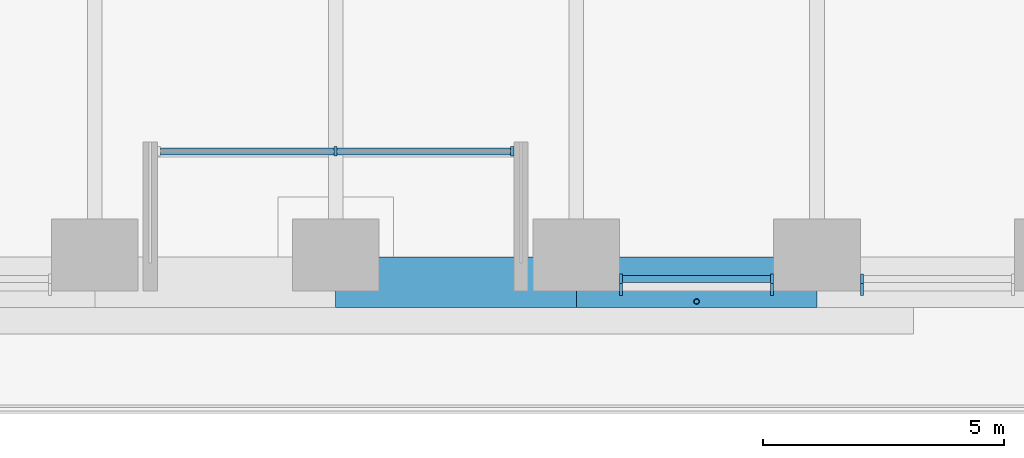
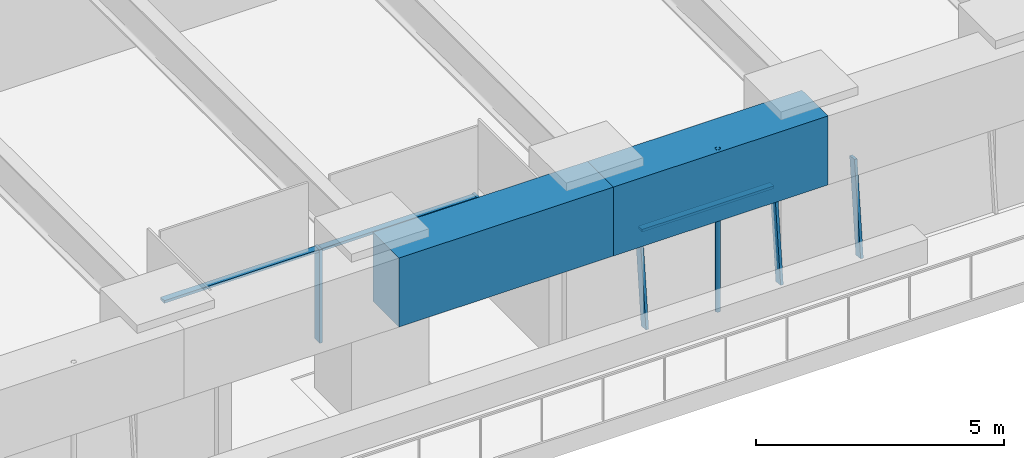
# One storey, part 4 of 24: 8 members, 2 beams, 3 elements without a shape of their own.
"""IFC4 building model written with IfcOpenShell, lengths in metres."""

from ifc_helpers import new_model, si_unit, direction, frame, origin, origin_2d, place, context, subcontext, project, spatial, rectangle, hollow_circle, extrude, material, material_profile, profile_set, type_object, element, aggregate, save


model = new_model("IFC4")

# Units and contexts
model_context = context("Model", 3, precision=1e-05, world=origin(), true_north=direction((0.0, 1.0)))
body_context = subcontext(model_context, "Body", "Model", "MODEL_VIEW")
ifc_project = project(units=[si_unit("LENGTHUNIT", "METRE"), si_unit("AREAUNIT", "SQUARE_METRE"), si_unit("VOLUMEUNIT", "CUBIC_METRE"), si_unit("PLANEANGLEUNIT", "RADIAN"), si_unit("MASSUNIT", "GRAM", prefix="KILO")], contexts=[model_context])

# Site, building, storey
site_placement = place(None, origin())
site = spatial("IfcSite", under=ifc_project, at=site_placement, CompositionType="ELEMENT")
building_placement = place(site_placement, origin())
building = spatial("IfcBuilding", under=site, at=building_placement, Name="Tarfa Lantern Tower", CompositionType="ELEMENT")
storey_placement = place(building_placement, frame((0.0, 0.0, 132.10009765625)))
storey = spatial("IfcBuildingStorey", under=building, at=storey_placement, Name="L29", CompositionType="ELEMENT", Elevation=132.10009765625)

# Curtain wall, members
ifc_material_1 = material(Name="Aluminium framed curtain wall", Category="aluminium")
curtain_wall_type_1 = type_object("IfcCurtainWallType", Name="CW2 CANTED GLAZING MID ZONE 2300", PredefinedType="USERDEFINED", material=ifc_material_1)
curtain_wall_1_placement = place(storey_placement, origin())
curtain_wall_1 = element("IfcCurtainWall", 1, at=curtain_wall_1_placement, inside=storey, type_object=curtain_wall_type_1, Name="CW2 SB L29", ObjectType="CURTAIN WALL", PredefinedType="USERDEFINED")
ifc_material_2 = material(Name="Aluminium mullion", Category="aluminium")
ifc_material_profile_1 = material_profile(ifc_material_2, rectangle(XDim=0.06494140625, YDim=0.199951171875, at=origin_2d()), Name="AL MULLION 65x200")
ifc_profile_set_1 = profile_set([ifc_material_profile_1], Name="Aluminium mullion")
member_type_1 = type_object("IfcMemberType", Name="CWM1 MULLION 65x200", PredefinedType="MULLION", material=ifc_profile_set_1)
member_1_placement = place(storey_placement, frame((5.936279296875, -31.39990234375, 0.0), z_axis=(0.0, 0.108068250598, 0.994143477177), x_axis=(-1.0, 0.0, 0.0)))
member_1 = element("IfcMember", 2, at=member_1_placement, type_object=member_type_1, Name="CW2 mullion 1", PredefinedType="MULLION", context=body_context, shape_type="SweptSolid", body=[
    extrude(rectangle(XDim=0.06494140625, YDim=0.199951171875, at=origin_2d()), origin(), (0.0, 0.0, 1.0), 2.313232421875),
])
member_2_placement = place(storey_placement, frame((9.074951171875, -31.39990234375, 0.0), z_axis=(0.0, 0.108068250598, 0.994143477177), x_axis=(-1.0, 0.0, 0.0)))
member_2 = element("IfcMember", 3, at=member_2_placement, type_object=member_type_1, Name="CW2 mullion 2", PredefinedType="MULLION", context=body_context, shape_type="SweptSolid", body=[
    extrude(rectangle(XDim=0.06494140625, YDim=0.199951171875, at=origin_2d()), origin(), (0.0, 0.0, 1.0), 2.313232421875),
])

# Curtain wall, member
curtain_wall_2_placement = place(storey_placement, origin())
curtain_wall_2 = element("IfcCurtainWall", 4, at=curtain_wall_2_placement, inside=storey, type_object=curtain_wall_type_1, Name="CW2 SB L29", ObjectType="CURTAIN WALL", PredefinedType="USERDEFINED")
member_3_placement = place(storey_placement, frame((10.93994140625, -31.39990234375, 0.0), z_axis=(0.0, 0.108068250598, 0.994143477177), x_axis=(-1.0, 0.0, 0.0)))
member_3 = element("IfcMember", 5, at=member_3_placement, type_object=member_type_1, Name="CW2 mullion 1", PredefinedType="MULLION", context=body_context, shape_type="SweptSolid", body=[
    extrude(rectangle(XDim=0.06494140625, YDim=0.199951171875, at=origin_2d()), origin(), (0.0, 0.0, 1.0), 2.313232421875),
])
aggregate(curtain_wall_2, [member_3])

# Curtain wall, members
curtain_wall_type_2 = type_object("IfcCurtainWallType", Name="CW10 LOGGIA GLAZING 2300", PredefinedType="USERDEFINED", material=ifc_material_1)
curtain_wall_3_placement = place(storey_placement, origin())
curtain_wall_3 = element("IfcCurtainWall", 6, at=curtain_wall_3_placement, inside=storey, type_object=curtain_wall_type_2, Name="CW10 SL L29", ObjectType="CURTAIN WALL", PredefinedType="USERDEFINED")
member_4_placement = place(storey_placement, frame((0.0, -28.5, 0.0), z_axis=(0.0, 0.0, 1.0), x_axis=(1.0, 0.0, 0.0)))
member_4 = element("IfcMember", 7, at=member_4_placement, type_object=member_type_1, Name="CW10 mullion 2", PredefinedType="MULLION", context=body_context, shape_type="SweptSolid", body=[
    extrude(rectangle(XDim=0.06494140625, YDim=0.199951171875, at=origin_2d()), origin(), (0.0, 0.0, 1.0), 2.2998046875),
])
member_5_placement = place(storey_placement, frame((3.671142578125, -28.5, 0.0), z_axis=(0.0, 0.0, 1.0), x_axis=(1.0, 0.0, 0.0)))
member_5 = element("IfcMember", 8, at=member_5_placement, type_object=member_type_1, Name="CW10 mullion 3", PredefinedType="MULLION", context=body_context, shape_type="SweptSolid", body=[
    extrude(rectangle(XDim=0.06494140625, YDim=0.199951171875, at=origin_2d()), origin(), (0.0, 0.0, 1.0), 2.2998046875),
])

# Member
ifc_material_3 = material(Name="Aluminium transom", Category="aluminium")
ifc_material_profile_2 = material_profile(ifc_material_3, rectangle(XDim=0.14990234375, YDim=0.06494140625, at=origin_2d()), Name="AL TRANSOM 150x65")
ifc_profile_set_2 = profile_set([ifc_material_profile_2], Name="Aluminium transom")
member_type_2 = type_object("IfcMemberType", Name="CWT1 TRANSOM 150x65", PredefinedType="USERDEFINED", material=ifc_profile_set_2)
member_6_placement = place(storey_placement, frame((5.96875, -31.153564453125, 2.267333984375), z_axis=(1.0, 0.0, 0.0), x_axis=(0.0, 1.0, 0.0)))
member_6 = element("IfcMember", 9, at=member_6_placement, type_object=member_type_2, Name="CW2 transom 1.2", ObjectType="TRANSOM", PredefinedType="USERDEFINED", context=body_context, shape_type="SweptSolid", body=[
    extrude(rectangle(XDim=0.14990234375, YDim=0.06494140625, at=origin_2d()), origin(), (0.0, 0.0, 1.0), 3.07373046875),
])

aggregate(curtain_wall_1, [member_1, member_2, member_6])

member_7_placement = place(storey_placement, frame((-3.638671875, -28.5, 2.267333984375), z_axis=(1.0, 0.0, 0.0), x_axis=(0.0, 1.0, 0.0)))
member_7 = element("IfcMember", 10, at=member_7_placement, type_object=member_type_2, Name="CW10 transom 1.2", ObjectType="TRANSOM", PredefinedType="USERDEFINED", context=body_context, shape_type="SweptSolid", body=[
    extrude(rectangle(XDim=0.14990234375, YDim=0.06494140625, at=origin_2d()), origin(), (0.0, 0.0, 1.0), 7.27734375),
])

aggregate(curtain_wall_3, [member_4, member_5, member_7])

# Beams
ifc_material_4 = material(Name="Concrete C80/95", Category="concrete")
ifc_material_profile_3 = material_profile(ifc_material_4, rectangle(XDim=1.050048828125, YDim=1.699951171875, at=origin_2d()), Name="RC 1050x1700")
ifc_profile_set_3 = profile_set([ifc_material_profile_3], Name="Concrete C80/95")
beam_type = type_object("IfcBeamType", Name="RB2 RC 1050x1700", PredefinedType="BEAM", material=ifc_profile_set_3)
for number, where, z_axis, x_axis, name in (
    (11, (0.0, -31.219970703125, 3.14990234375), (1.0, 0.0, 0.0), (0.0, 1.0, 0.0), "Edge beam S3"),
    (12, (5.003662109375, -31.219970703125, 3.14990234375), (1.0, 0.0, 0.0), (0.0, 1.0, 0.0), "Edge beam S4"),
):
    element("IfcBeam", number, at=place(storey_placement, frame(where, z_axis=z_axis, x_axis=x_axis)), inside=storey, type_object=beam_type, Name=name, PredefinedType="BEAM", context=body_context, shape_type="SweptSolid", body=[
        extrude(rectangle(XDim=1.050048828125, YDim=1.699951171875, at=origin_2d()), origin(), (0.0, 0.0, 1.0), 5.003662109375),
    ])

# Member
ifc_material_5 = material(Name="Steel S355", Category="steel")
ifc_material_profile_4 = material_profile(ifc_material_5, hollow_circle(Radius=0.05712890625, WallThickness=0.00634765625, at=origin_2d()), Name="CHS114.3x6.3")
ifc_profile_set_4 = profile_set([ifc_material_profile_4], Name="Steel S355")
member_type_3 = type_object("IfcMemberType", Name="TR1 GREEN WALL TRELLIS CHS114.3x6.3", PredefinedType="USERDEFINED", material=ifc_profile_set_4)
member_8_placement = place(storey_placement, frame((7.505615234375, -31.6201171875, 0.0), z_axis=(0.0, 0.0, 1.0), x_axis=(1.0, 0.0, 0.0)))
element("IfcMember", 13, at=member_8_placement, inside=storey, type_object=member_type_3, Name="Trellis post S 2", ObjectType="TRELLIS", PredefinedType="USERDEFINED", context=body_context, shape_type="SweptSolid", body=[
    extrude(hollow_circle(Radius=0.05712890625, WallThickness=0.00634765625, at=origin_2d()), origin(), (0.0, 0.0, 1.0), 4.0),
])

save(model, "model.ifc")
